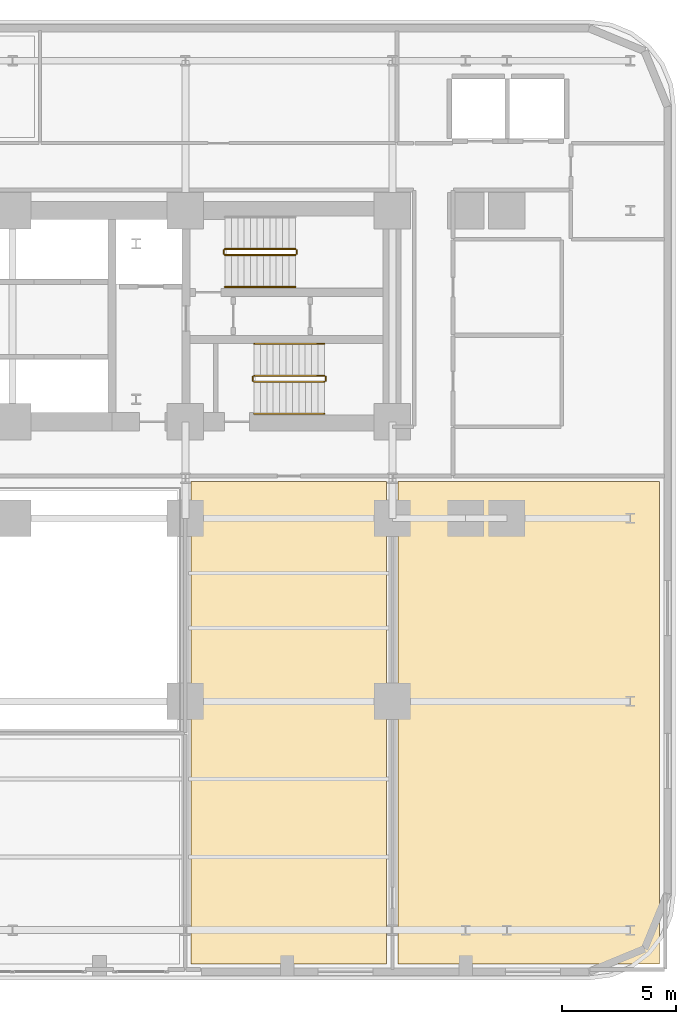
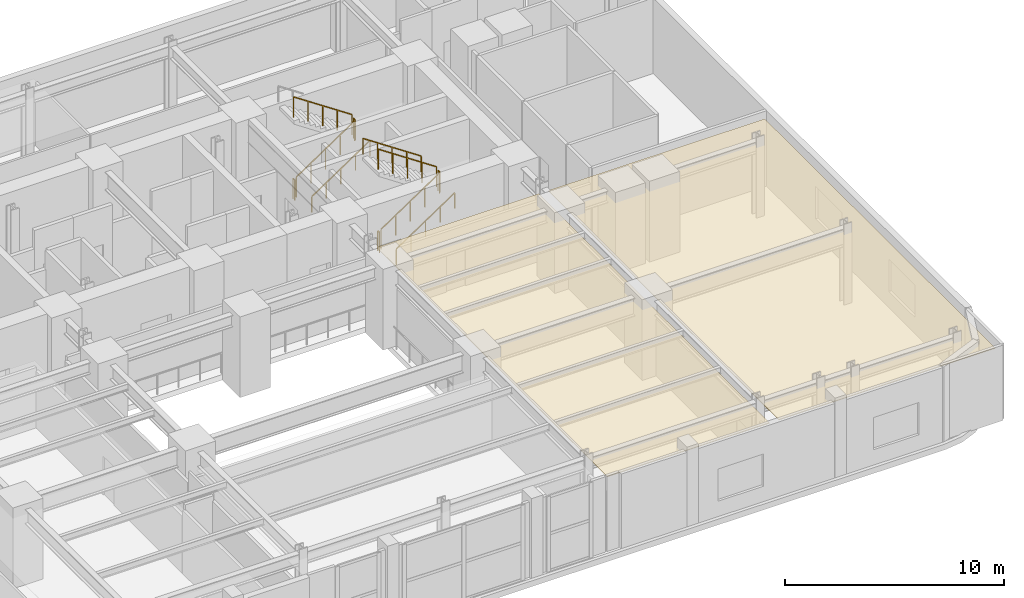
# One storey, part 12 of 14: 11 railings, 2 coverings.
"""IFC4 building model written with IfcOpenShell, lengths in metres."""

from ifc_helpers import new_model, si_unit, direction, frame, origin, origin_2d, place, context, subcontext, project, spatial, polyline, rectangle, outline, extrude, material, layer, layer_set, type_object, element, save


model = new_model("IFC4")

# Units and contexts
model_context = context("Model", 3, precision=1e-05, world=origin(), true_north=direction((0.0, 1.0)))
body_context = subcontext(model_context, "Body", "Model", "MODEL_VIEW")
ifc_project = project(units=[si_unit("LENGTHUNIT", "METRE"), si_unit("AREAUNIT", "SQUARE_METRE"), si_unit("VOLUMEUNIT", "CUBIC_METRE"), si_unit("PLANEANGLEUNIT", "RADIAN"), si_unit("MASSUNIT", "GRAM", prefix="KILO")], contexts=[model_context])

# Site, building, storey
site_placement = place(None, origin())
site = spatial("IfcSite", under=ifc_project, at=site_placement, CompositionType="ELEMENT")
building_placement = place(site_placement, origin())
building = spatial("IfcBuilding", under=site, at=building_placement, Name="Zarnavel Station Tower", CompositionType="ELEMENT")
storey_placement = place(building_placement, frame((0.0, 0.0, 10.39990234375)))
storey = spatial("IfcBuildingStorey", under=building, at=storey_placement, Name="L03", CompositionType="ELEMENT", Elevation=10.39990234375)

# Coverings
ifc_material_1 = material(Name="Perforated Gypsum and Mineral-Wool Acoustic Ceiling", Category="concrete")
ifc_layer = layer(ifc_material_1, 0.0400390625)
ifc_layer_set = layer_set([ifc_layer], Name="COV_CEIL_ACOUSTIC")
covering_type = type_object("IfcCoveringType", Name="COV_CEIL_ACOUSTIC", PredefinedType="CEILING", material=ifc_layer_set)
covering_1_placement = place(storey_placement, frame((0.0, 0.0, 3.880126953125)))
element("IfcCovering", 1, at=covering_1_placement, inside=storey, type_object=covering_type, Name="L03 BOUT Acoustic Ceiling", PredefinedType="CEILING", context=body_context, shape_type="SweptSolid", body=[
    extrude(outline(polyline([(36.60009765625, 4.1298828125), (45.14990234375, 4.1298828125), (45.14990234375, 25.199951171875), (36.60009765625, 25.199951171875), (36.60009765625, 4.1298828125)])), origin(), (0.0, 0.0, 1.0), 0.0400390625),
])
covering_2_placement = place(storey_placement, frame((0.0, 0.0, 3.880126953125)))
element("IfcCovering", 2, at=covering_2_placement, inside=storey, type_object=covering_type, Name="L03 BOUE Acoustic Ceiling", PredefinedType="CEILING", context=body_context, shape_type="SweptSolid", body=[
    extrude(outline(polyline([(45.64990234375, 4.1298828125), (57.070068359375, 4.1298828125), (57.070068359375, 25.199951171875), (45.64990234375, 25.199951171875), (45.64990234375, 4.1298828125)])), origin(), (0.0, 0.0, 1.0), 0.0400390625),
])

# Railings
ifc_material_2 = material(Name="Painted Steel S355J2 Balustrade", Category="steel")
railing_type_1 = type_object("IfcRailingType", Name="GR_INT_1150", PredefinedType="GUARDRAIL", material=ifc_material_2)
railing_1_placement = place(storey_placement, frame((38.080078125, 35.110107421875, 0.1875)))
element("IfcRailing", 3, at=railing_1_placement, inside=storey, type_object=railing_type_1, Name="L03 ST2 stair guard 1", PredefinedType="GUARDRAIL", context=body_context, shape_type="SweptSolid", body=[
    extrude(rectangle(XDim=0.048095703125, YDim=0.048095703125, at=origin_2d()), frame((0.001708984375, 0.0, 1.126953125), z_axis=(0.830893310487, 0.0, 0.556431762742), x_axis=(0.0, 1.0, 0.0)), (0.0, 0.0, 1.0), 3.70263671875),
    extrude(rectangle(XDim=0.0419921875, YDim=0.0419921875, at=origin_2d()), origin(), (0.0, 0.0, 1.0), 1.101806640625),
    extrude(rectangle(XDim=0.0419921875, YDim=0.0419921875, at=origin_2d()), frame((0.77001953125, 0.0, 0.515625)), (0.0, 0.0, 1.0), 1.101806640625),
    extrude(rectangle(XDim=0.0419921875, YDim=0.0419921875, at=origin_2d()), frame((1.5400390625, 0.0, 1.03125)), (0.0, 0.0, 1.0), 1.101806640625),
    extrude(rectangle(XDim=0.0419921875, YDim=0.0419921875, at=origin_2d()), frame((2.309814453125, 0.0, 1.546875)), (0.0, 0.0, 1.0), 1.101806640625),
    extrude(rectangle(XDim=0.0419921875, YDim=0.0419921875, at=origin_2d()), frame((3.079833984375, 0.0, 2.0625)), (0.0, 0.0, 1.0), 1.101806640625),
])
railing_2_placement = place(storey_placement, frame((41.2099609375, 35.159912109375, 2.25)))
element("IfcRailing", 4, at=railing_2_placement, inside=storey, type_object=railing_type_1, Name="L03 ST2 stair guard 2", PredefinedType="GUARDRAIL", context=body_context, shape_type="SweptSolid", body=[
    extrude(rectangle(XDim=0.048095703125, YDim=0.048095703125, at=origin_2d()), frame((0.0, 0.001953125, 1.1259765625), z_axis=(0.0, 1.0, 0.0), x_axis=(-1.0, 0.0, 0.0)), (0.0, 0.0, 1.0), 0.15625),
    extrude(rectangle(XDim=0.0419921875, YDim=0.0419921875, at=origin_2d()), origin(), (0.0, 0.0, 1.0), 1.101806640625),
    extrude(rectangle(XDim=0.0419921875, YDim=0.0419921875, at=origin_2d()), frame((0.0, 0.16015625, 0.0)), (0.0, 0.0, 1.0), 1.101806640625),
])
railing_3_placement = place(storey_placement, frame((41.159912109375, 35.3701171875, 2.4375)))
element("IfcRailing", 5, at=railing_3_placement, inside=storey, type_object=railing_type_1, Name="L03 ST2 stair guard 3", PredefinedType="GUARDRAIL", context=body_context, shape_type="SweptSolid", body=[
    extrude(rectangle(XDim=0.048095703125, YDim=0.048095703125, at=origin_2d()), frame((-0.001708984375, 0.0, 1.126953125), z_axis=(-0.830893310487, 0.0, 0.556431762742), x_axis=(0.0, -1.0, 0.0)), (0.0, 0.0, 1.0), 3.70263671875),
    extrude(rectangle(XDim=0.0419921875, YDim=0.0419921875, at=origin_2d()), origin(), (0.0, 0.0, 1.0), 1.101806640625),
    extrude(rectangle(XDim=0.0419921875, YDim=0.0419921875, at=origin_2d()), frame((-0.77001953125, 0.0, 0.515625)), (0.0, 0.0, 1.0), 1.101806640625),
    extrude(rectangle(XDim=0.0419921875, YDim=0.0419921875, at=origin_2d()), frame((-1.5400390625, 0.0, 1.03125)), (0.0, 0.0, 1.0), 1.101806640625),
    extrude(rectangle(XDim=0.0419921875, YDim=0.0419921875, at=origin_2d()), frame((-2.309814453125, 0.0, 1.546875)), (0.0, 0.0, 1.0), 1.101806640625),
    extrude(rectangle(XDim=0.0419921875, YDim=0.0419921875, at=origin_2d()), frame((-3.079833984375, 0.0, 2.0625)), (0.0, 0.0, 1.0), 1.101806640625),
])
railing_4_placement = place(storey_placement, frame((38.030029296875, 35.159912109375, 0.0)))
element("IfcRailing", 6, at=railing_4_placement, inside=storey, type_object=railing_type_1, Name="L03 ST2 stair guard 4", PredefinedType="GUARDRAIL", context=body_context, shape_type="SweptSolid", body=[
    extrude(rectangle(XDim=0.048095703125, YDim=0.048095703125, at=origin_2d()), frame((0.0, 0.001953125, 1.1259765625), z_axis=(0.0, 1.0, 0.0), x_axis=(-1.0, 0.0, 0.0)), (0.0, 0.0, 1.0), 0.15625),
    extrude(rectangle(XDim=0.0419921875, YDim=0.0419921875, at=origin_2d()), origin(), (0.0, 0.0, 1.0), 1.101806640625),
    extrude(rectangle(XDim=0.0419921875, YDim=0.0419921875, at=origin_2d()), frame((0.0, 0.16015625, 0.0)), (0.0, 0.0, 1.0), 1.101806640625),
])
railing_5_placement = place(storey_placement, frame((39.35009765625, 29.570068359375, 0.1875)))
element("IfcRailing", 7, at=railing_5_placement, inside=storey, type_object=railing_type_1, Name="L03 ST3 stair guard 1", PredefinedType="GUARDRAIL", context=body_context, shape_type="SweptSolid", body=[
    extrude(rectangle(XDim=0.048095703125, YDim=0.048095703125, at=origin_2d()), frame((0.001708984375, 0.0, 1.126953125), z_axis=(0.830893310487, 0.0, 0.556431762742), x_axis=(0.0, 1.0, 0.0)), (0.0, 0.0, 1.0), 3.70263671875),
    extrude(rectangle(XDim=0.0419921875, YDim=0.0419921875, at=origin_2d()), origin(), (0.0, 0.0, 1.0), 1.101806640625),
    extrude(rectangle(XDim=0.0419921875, YDim=0.0419921875, at=origin_2d()), frame((0.77001953125, 0.0, 0.515625)), (0.0, 0.0, 1.0), 1.101806640625),
    extrude(rectangle(XDim=0.0419921875, YDim=0.0419921875, at=origin_2d()), frame((1.5400390625, 0.0, 1.03125)), (0.0, 0.0, 1.0), 1.101806640625),
    extrude(rectangle(XDim=0.0419921875, YDim=0.0419921875, at=origin_2d()), frame((2.309814453125, 0.0, 1.546875)), (0.0, 0.0, 1.0), 1.101806640625),
    extrude(rectangle(XDim=0.0419921875, YDim=0.0419921875, at=origin_2d()), frame((3.079833984375, 0.0, 2.0625)), (0.0, 0.0, 1.0), 1.101806640625),
])
railing_6_placement = place(storey_placement, frame((42.47998046875, 29.6201171875, 2.25)))
element("IfcRailing", 8, at=railing_6_placement, inside=storey, type_object=railing_type_1, Name="L03 ST3 stair guard 2", PredefinedType="GUARDRAIL", context=body_context, shape_type="SweptSolid", body=[
    extrude(rectangle(XDim=0.048095703125, YDim=0.048095703125, at=origin_2d()), frame((0.0, 0.001953125, 1.1259765625), z_axis=(0.0, 1.0, 0.0), x_axis=(-1.0, 0.0, 0.0)), (0.0, 0.0, 1.0), 0.156005859375),
    extrude(rectangle(XDim=0.0419921875, YDim=0.0419921875, at=origin_2d()), origin(), (0.0, 0.0, 1.0), 1.101806640625),
    extrude(rectangle(XDim=0.0419921875, YDim=0.0419921875, at=origin_2d()), frame((0.0, 0.159912109375, 0.0)), (0.0, 0.0, 1.0), 1.101806640625),
])
railing_7_placement = place(storey_placement, frame((42.429931640625, 29.830078125, 2.4375)))
element("IfcRailing", 9, at=railing_7_placement, inside=storey, type_object=railing_type_1, Name="L03 ST3 stair guard 3", PredefinedType="GUARDRAIL", context=body_context, shape_type="SweptSolid", body=[
    extrude(rectangle(XDim=0.048095703125, YDim=0.048095703125, at=origin_2d()), frame((-0.001708984375, 0.0, 1.126953125), z_axis=(-0.830893310487, 0.0, 0.556431762742), x_axis=(0.0, -1.0, 0.0)), (0.0, 0.0, 1.0), 3.70263671875),
    extrude(rectangle(XDim=0.0419921875, YDim=0.0419921875, at=origin_2d()), origin(), (0.0, 0.0, 1.0), 1.101806640625),
    extrude(rectangle(XDim=0.0419921875, YDim=0.0419921875, at=origin_2d()), frame((-0.77001953125, 0.0, 0.515625)), (0.0, 0.0, 1.0), 1.101806640625),
    extrude(rectangle(XDim=0.0419921875, YDim=0.0419921875, at=origin_2d()), frame((-1.5400390625, 0.0, 1.03125)), (0.0, 0.0, 1.0), 1.101806640625),
    extrude(rectangle(XDim=0.0419921875, YDim=0.0419921875, at=origin_2d()), frame((-2.309814453125, 0.0, 1.546875)), (0.0, 0.0, 1.0), 1.101806640625),
    extrude(rectangle(XDim=0.0419921875, YDim=0.0419921875, at=origin_2d()), frame((-3.079833984375, 0.0, 2.0625)), (0.0, 0.0, 1.0), 1.101806640625),
])
railing_8_placement = place(storey_placement, frame((39.300048828125, 29.6201171875, 0.0)))
element("IfcRailing", 10, at=railing_8_placement, inside=storey, type_object=railing_type_1, Name="L03 ST3 stair guard 4", PredefinedType="GUARDRAIL", context=body_context, shape_type="SweptSolid", body=[
    extrude(rectangle(XDim=0.048095703125, YDim=0.048095703125, at=origin_2d()), frame((0.0, 0.001953125, 1.1259765625), z_axis=(0.0, 1.0, 0.0), x_axis=(-1.0, 0.0, 0.0)), (0.0, 0.0, 1.0), 0.156005859375),
    extrude(rectangle(XDim=0.0419921875, YDim=0.0419921875, at=origin_2d()), origin(), (0.0, 0.0, 1.0), 1.101806640625),
    extrude(rectangle(XDim=0.0419921875, YDim=0.0419921875, at=origin_2d()), frame((0.0, 0.159912109375, 0.0)), (0.0, 0.0, 1.0), 1.101806640625),
])
ifc_material_3 = material(Name="Brushed Stainless Steel S355J2 Handrail", Category="steel")
railing_type_2 = type_object("IfcRailingType", Name="HR_STAIR_900", PredefinedType="HANDRAIL", material=ifc_material_3)
for number, where, name in (
    (11, (38.080078125, 33.7099609375, 0.1875), "L03 ST2 stair handrail 1"),
    (12, (39.35009765625, 28.169921875, 0.1875), "L03 ST3 stair handrail 1"),
):
    element("IfcRailing", number, at=place(storey_placement, frame(where)), inside=storey, type_object=railing_type_2, Name=name, PredefinedType="HANDRAIL", context=body_context, shape_type="SweptSolid", body=[
        extrude(rectangle(XDim=0.048095703125, YDim=0.048095703125, at=origin_2d()), frame((0.001708984375, 0.0, 0.876953125), z_axis=(0.830893310487, 0.0, 0.556431762742), x_axis=(0.0, 1.0, 0.0)), (0.0, 0.0, 1.0), 3.70263671875),
        extrude(rectangle(XDim=0.0419921875, YDim=0.0419921875, at=origin_2d()), origin(), (0.0, 0.0, 1.0), 0.851806640625),
        extrude(rectangle(XDim=0.0419921875, YDim=0.0419921875, at=origin_2d()), frame((0.77001953125, 0.0, 0.515625)), (0.0, 0.0, 1.0), 0.851806640625),
        extrude(rectangle(XDim=0.0419921875, YDim=0.0419921875, at=origin_2d()), frame((1.5400390625, 0.0, 1.03125)), (0.0, 0.0, 1.0), 0.851806640625),
        extrude(rectangle(XDim=0.0419921875, YDim=0.0419921875, at=origin_2d()), frame((2.309814453125, 0.0, 1.546875)), (0.0, 0.0, 1.0), 0.851806640625),
        extrude(rectangle(XDim=0.0419921875, YDim=0.0419921875, at=origin_2d()), frame((3.079833984375, 0.0, 2.0625)), (0.0, 0.0, 1.0), 0.851806640625),
    ])
railing_9_placement = place(storey_placement, frame((42.429931640625, 31.22998046875, 2.4375)))
element("IfcRailing", 13, at=railing_9_placement, inside=storey, type_object=railing_type_2, Name="L03 ST3 stair handrail 2", PredefinedType="HANDRAIL", context=body_context, shape_type="SweptSolid", body=[
    extrude(rectangle(XDim=0.048095703125, YDim=0.048095703125, at=origin_2d()), frame((-0.001708984375, 0.0, 0.876953125), z_axis=(-0.830893310487, 0.0, 0.556431762742), x_axis=(0.0, -1.0, 0.0)), (0.0, 0.0, 1.0), 3.70263671875),
    extrude(rectangle(XDim=0.0419921875, YDim=0.0419921875, at=origin_2d()), origin(), (0.0, 0.0, 1.0), 0.851806640625),
    extrude(rectangle(XDim=0.0419921875, YDim=0.0419921875, at=origin_2d()), frame((-0.77001953125, 0.0, 0.515625)), (0.0, 0.0, 1.0), 0.851806640625),
    extrude(rectangle(XDim=0.0419921875, YDim=0.0419921875, at=origin_2d()), frame((-1.5400390625, 0.0, 1.03125)), (0.0, 0.0, 1.0), 0.851806640625),
    extrude(rectangle(XDim=0.0419921875, YDim=0.0419921875, at=origin_2d()), frame((-2.309814453125, 0.0, 1.546875)), (0.0, 0.0, 1.0), 0.851806640625),
    extrude(rectangle(XDim=0.0419921875, YDim=0.0419921875, at=origin_2d()), frame((-3.079833984375, 0.0, 2.0625)), (0.0, 0.0, 1.0), 0.851806640625),
])

save(model, "model.ifc")
